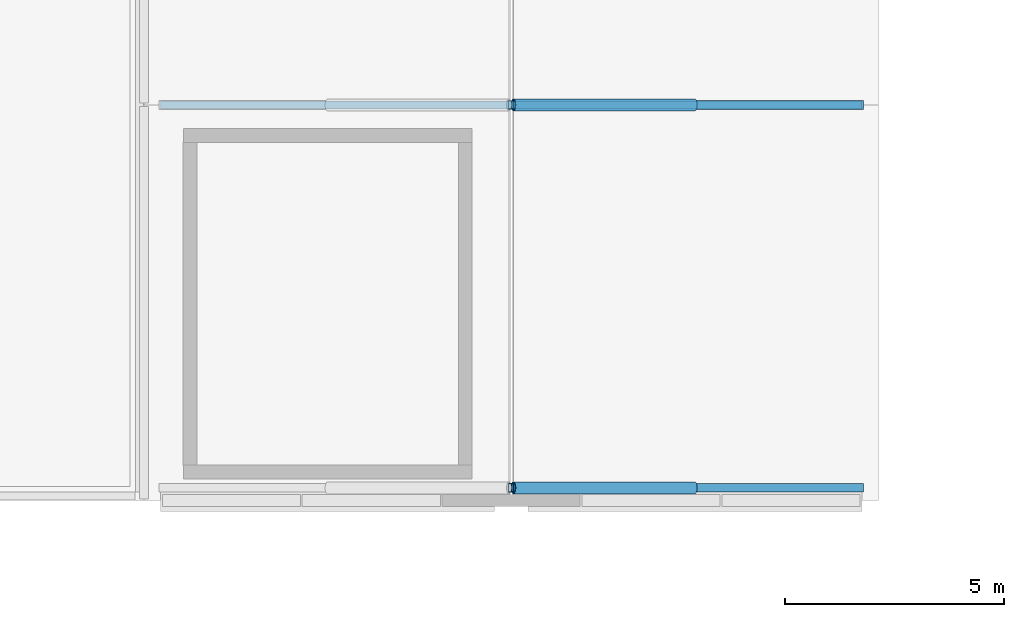
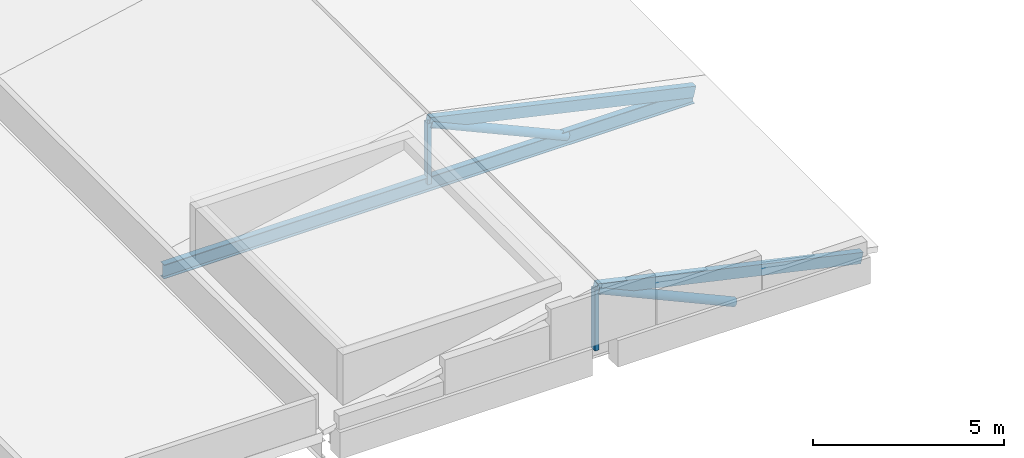
# One storey, part 3 of 28: 7 members.
"""IFC4 building model written with IfcOpenShell, lengths in metres."""

from ifc_helpers import new_model, si_unit, direction, frame, origin, origin_2d, place, context, subcontext, project, spatial, hollow_rectangle, hollow_circle, i_section, extrude, material, material_profile, profile_set, type_object, element, save


model = new_model("IFC4")

# Units and contexts
model_context = context("Model", 3, precision=1e-05, world=origin(), true_north=direction((0.0, 1.0)))
body_context = subcontext(model_context, "Body", "Model", "MODEL_VIEW")
ifc_project = project(units=[si_unit("LENGTHUNIT", "METRE"), si_unit("AREAUNIT", "SQUARE_METRE"), si_unit("VOLUMEUNIT", "CUBIC_METRE"), si_unit("PLANEANGLEUNIT", "RADIAN"), si_unit("MASSUNIT", "GRAM", prefix="KILO")], contexts=[model_context])

# Site, building, storey
site_placement = place(None, origin())
site = spatial("IfcSite", under=ifc_project, at=site_placement, CompositionType="ELEMENT")
building_placement = place(site_placement, origin())
building = spatial("IfcBuilding", under=site, at=building_placement, Name="Khurvash Pelagic Aquarium", CompositionType="ELEMENT")
storey_placement = place(building_placement, frame((0.0, 0.0, 20.10009765625)))
storey = spatial("IfcBuildingStorey", under=building, at=storey_placement, Name="L04", CompositionType="ELEMENT", Elevation=20.10009765625)

# Members
ifc_material = material(Name="Steel S355J2", Category="steel")
ifc_material_profile_1 = material_profile(ifc_material, hollow_rectangle(XDim=0.199951171875, YDim=0.35009765625, WallThickness=0.012451171875, at=origin_2d()), Name="RHS350X200X12")
ifc_profile_set_1 = profile_set([ifc_material_profile_1], Name="Steel S355J2")
member_type_1 = type_object("IfcMemberType", Name="TC-03", PredefinedType="CHORD", material=ifc_profile_set_1)
for number, where, z_axis, x_axis, name in (
    (1, (25.199951171875, 66.239990234375, 1.5), (0.97572570839, 0.0, -0.21899621455), (0.0, 1.0, 0.0), "L04 Education Wing Truss Pitched Top Chord East"),
    (2, (25.199951171875, 75.0, 1.5), (0.97572570839, 0.0, -0.21899621455), (0.0, 1.0, 0.0), "L04 Education Wing Truss Pitched Top Chord East"),
):
    element("IfcMember", number, at=place(storey_placement, frame(where, z_axis=z_axis, x_axis=x_axis)), inside=storey, type_object=member_type_1, Name=name, PredefinedType="CHORD", context=body_context, shape_type="SweptSolid", body=[
        extrude(hollow_rectangle(XDim=0.199951171875, YDim=0.35009765625, WallThickness=0.012451171875, at=origin_2d()), origin(), (0.0, 0.0, 1.0), 8.219482421875),
    ])
ifc_material_profile_2 = material_profile(ifc_material, i_section(OverallWidth=0.18994140625, OverallDepth=0.449951171875, WebThickness=0.009521484375, FlangeThickness=0.0146484375, at=origin_2d()), Name="IPE450")
ifc_profile_set_2 = profile_set([ifc_material_profile_2], Name="Steel S355J2")
member_type_2 = type_object("IfcMemberType", Name="TC-04", PredefinedType="CHORD", material=ifc_profile_set_2)
member_placement = place(storey_placement, frame((17.179931640625, 75.0, -0.4501953125), z_axis=(1.0, 0.0, 0.0), x_axis=(0.0, 1.0, 0.0)))
element("IfcMember", 3, at=member_placement, inside=storey, type_object=member_type_2, Name="L04 Education Wing Truss Bottom Chord", PredefinedType="CHORD", context=body_context, shape_type="SweptSolid", body=[
    extrude(i_section(OverallWidth=0.18994140625, OverallDepth=0.449951171875, WebThickness=0.009521484375, FlangeThickness=0.0146484375, at=origin_2d()), origin(), (0.0, 0.0, 1.0), 16.0400390625),
])
ifc_material_profile_3 = material_profile(ifc_material, hollow_circle(Radius=0.136474609375, WallThickness=0.012451171875, at=origin_2d()), Name="CHS273X12")
ifc_profile_set_3 = profile_set([ifc_material_profile_3], Name="Steel S355J2")
member_type_3 = type_object("IfcMemberType", Name="TD-03", PredefinedType="BRACE", material=ifc_profile_set_3)
for number, where, z_axis, x_axis, name in (
    (4, (29.39990234375, 66.239990234375, -0.420166015625), (-0.911702594731, 0.0, 0.410850798661), (0.0, -1.0, 0.0), "L04 Education Wing Truss Web Diagonal"),
    (5, (29.39990234375, 75.0, -0.420166015625), (-0.911702594731, 0.0, 0.410850798661), (0.0, -1.0, 0.0), "L04 Education Wing Truss Web Diagonal"),
):
    element("IfcMember", number, at=place(storey_placement, frame(where, z_axis=z_axis, x_axis=x_axis)), inside=storey, type_object=member_type_3, Name=name, PredefinedType="BRACE", context=body_context, shape_type="SweptSolid", body=[
        extrude(hollow_circle(Radius=0.136474609375, WallThickness=0.012451171875, at=origin_2d()), origin(), (0.0, 0.0, 1.0), 4.5517578125),
    ])
ifc_material_profile_4 = material_profile(ifc_material, hollow_rectangle(XDim=0.1201171875, YDim=0.199951171875, WallThickness=0.008056640625, at=origin_2d()), Name="RHS200X120X8")
ifc_profile_set_4 = profile_set([ifc_material_profile_4], Name="Steel S355J2")
member_type_4 = type_object("IfcMemberType", Name="TV-03", PredefinedType="POST", material=ifc_profile_set_4)
for number, where, z_axis, x_axis, name in (
    (6, (25.199951171875, 66.239990234375, -0.4501953125), (0.0, 0.0, 1.0), (1.0, 0.0, 0.0), "L04 Education Wing Truss King Post"),
    (7, (25.199951171875, 75.0, -0.4501953125), (0.0, 0.0, 1.0), (1.0, 0.0, 0.0), "L04 Education Wing Truss King Post"),
):
    element("IfcMember", number, at=place(storey_placement, frame(where, z_axis=z_axis, x_axis=x_axis)), inside=storey, type_object=member_type_4, Name=name, PredefinedType="POST", context=body_context, shape_type="SweptSolid", body=[
        extrude(hollow_rectangle(XDim=0.1201171875, YDim=0.199951171875, WallThickness=0.008056640625, at=origin_2d()), origin(), (0.0, 0.0, 1.0), 1.9501953125),
    ])

save(model, "model.ifc")
